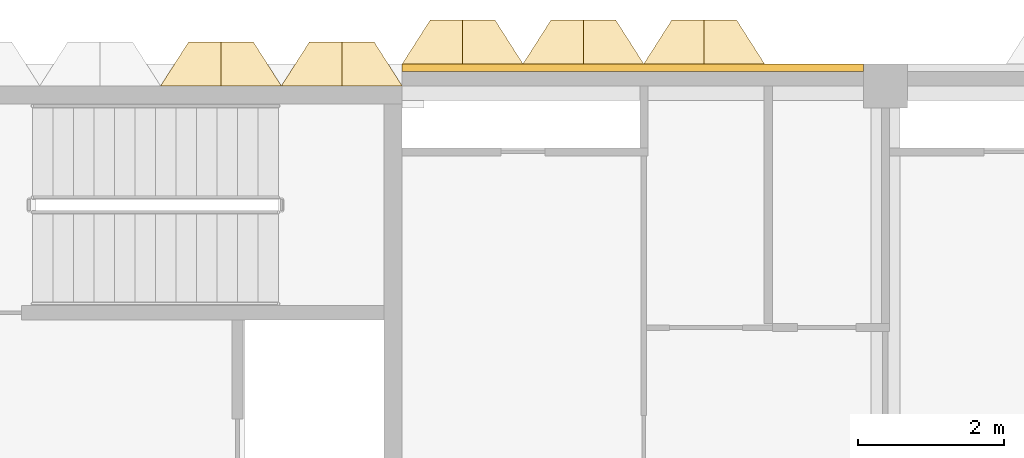
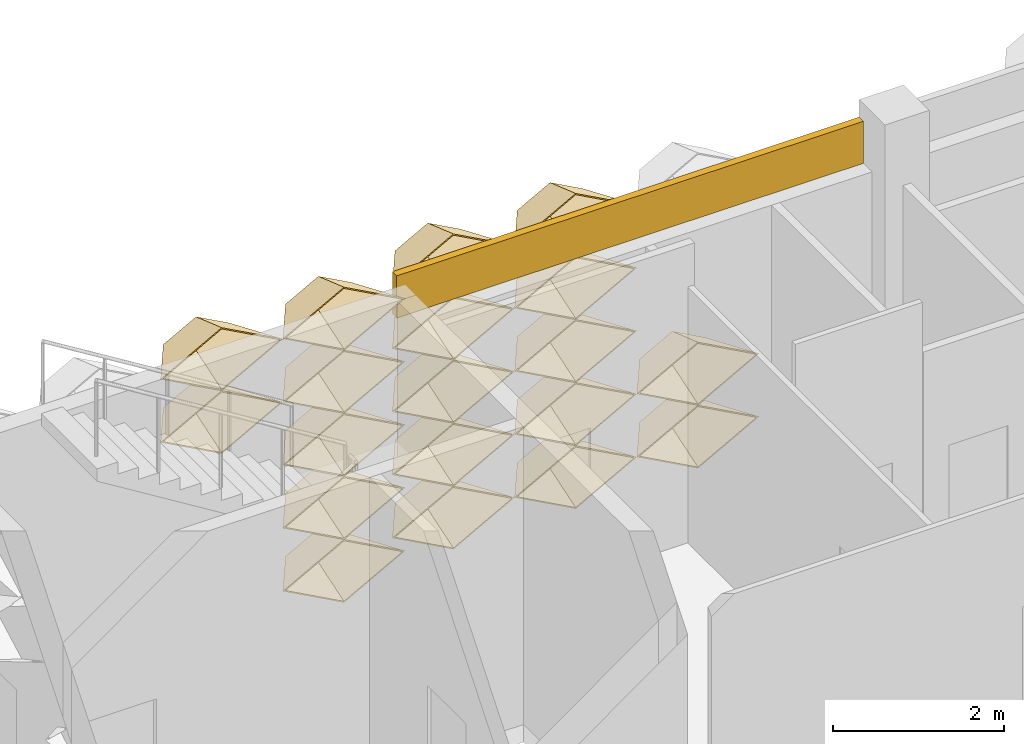
# One storey, part 91 of 109: 20 coverings.
"""IFC4 building model written with IfcOpenShell, lengths in metres."""

from ifc_helpers import new_model, entity, si_unit, direction, frame, frame_2d, origin, place, context, subcontext, project, spatial, rectangle, extrude, material, layer, layer_set, type_object, element, save


model = new_model("IFC4")

# Units and contexts
model_context = context("Model", 3, precision=1e-05, world=origin(), true_north=direction((0.0, 1.0)))
body_context = subcontext(model_context, "Body", "Model", "MODEL_VIEW")
ifc_project = project(units=[si_unit("LENGTHUNIT", "METRE"), si_unit("AREAUNIT", "SQUARE_METRE"), si_unit("VOLUMEUNIT", "CUBIC_METRE"), si_unit("PLANEANGLEUNIT", "RADIAN"), si_unit("MASSUNIT", "GRAM", prefix="KILO")], contexts=[model_context])

# Site, building, storey
site_placement = place(None, origin())
site = spatial("IfcSite", under=ifc_project, at=site_placement, CompositionType="ELEMENT")
building_placement = place(site_placement, origin())
building = spatial("IfcBuilding", under=site, at=building_placement, Name="Lantern Court Research Institute", CompositionType="ELEMENT")
storey_placement = place(building_placement, frame((0.0, 0.0, 14.39990234375)))
storey = spatial("IfcBuildingStorey", under=building, at=storey_placement, Name="L03", CompositionType="ELEMENT", Elevation=14.39990234375)

# Coverings
ifc_material_1 = material(Name="Aluminium composite panel with mineral wool insulation", Category="aluminium")
ifc_layer_1 = layer(ifc_material_1, 0.10009765625)
ifc_layer_set_1 = layer_set([ifc_layer_1], Name="Aluminium composite panel with mineral wool insulation")
covering_type_1 = type_object("IfcCoveringType", Name="Edge fascia panel 100 aluminium faced", PredefinedType="CLADDING", material=ifc_layer_set_1)
covering_1_placement = place(storey_placement, frame((6.60009765625, 99.25, 3.650146484375), z_axis=(0.0, 0.0, 1.0), x_axis=(1.0, 0.0, 0.0)))
element("IfcCovering", 1, at=covering_1_placement, inside=storey, type_object=covering_type_1, Name="Edge fascia V6N L03 01", PredefinedType="CLADDING", context=body_context, shape_type="SweptSolid", body=[
    extrude(rectangle(XDim=6.2998046875, YDim=0.10009765625, at=frame_2d((3.14990234375, 0.0))), origin(), (0.0, 0.0, 1.0), 0.599853515625),
])
ifc_material_2 = material(Name="Anodised aluminium", Category="aluminium")
ifc_layer_2 = layer(ifc_material_2, 0.01611328125)
ifc_layer_set_2 = layer_set([ifc_layer_2], Name="Anodised aluminium")
covering_type_2 = type_object("IfcCoveringType", Name="Fin cassette 1650 x 900 x 600 aluminium", PredefinedType="CLADDING", material=ifc_layer_set_2)
covering_2_placement = place(storey_placement, frame((5.77490234375, 99.0, 0.4501953125), z_axis=(0.0, 1.0, 0.0), x_axis=(-1.0, 0.0, 0.0)))
cartesian_point_1 = entity("IfcCartesianPoint", [0.824951171875, 0.0])
cartesian_point_2 = entity("IfcCartesianPoint", [0.79150390625, 0.0])
cartesian_point_3 = entity("IfcCartesianPoint", [0.44189453125, 0.0])
cartesian_point_4 = entity("IfcCartesianPoint", [0.43359375, 0.0])
element("IfcCovering", 2, at=covering_2_placement, inside=storey, type_object=covering_type_2, Name="Fin cassette V6N-L03 1.4", PredefinedType="CLADDING", context=body_context, shape_type="SweptSolid", body=[
    entity("IfcExtrudedAreaSolidTapered", entity("IfcArbitraryProfileDefWithVoids", "AREA", None, entity("IfcPolyline", [cartesian_point_1, entity("IfcCartesianPoint", [0.0, 0.449951171875]), entity("IfcCartesianPoint", [-0.824951171875, 0.0]), entity("IfcCartesianPoint", [0.0, -0.449951171875]), cartesian_point_1]), [entity("IfcPolyline", [cartesian_point_2, entity("IfcCartesianPoint", [0.0, 0.431884765625]), entity("IfcCartesianPoint", [-0.79150390625, 0.0]), entity("IfcCartesianPoint", [0.0, -0.431884765625]), cartesian_point_2])]), entity("IfcAxis2Placement3D", entity("IfcCartesianPoint", [0.0, 0.0, 0.0])), entity("IfcDirection", [0.0, 0.0, 1.0]), 0.60009765625, entity("IfcArbitraryProfileDefWithVoids", "AREA", None, entity("IfcPolyline", [cartesian_point_3, entity("IfcCartesianPoint", [0.0, 0.240966796875]), entity("IfcCartesianPoint", [-0.44189453125, 0.0]), entity("IfcCartesianPoint", [0.0, -0.240966796875]), cartesian_point_3]), [entity("IfcPolyline", [cartesian_point_4, entity("IfcCartesianPoint", [0.0, 0.236572265625]), entity("IfcCartesianPoint", [-0.43359375, 0.0]), entity("IfcCartesianPoint", [0.0, -0.236572265625]), cartesian_point_4])])),
])
covering_3_placement = place(storey_placement, frame((5.77490234375, 99.0, 1.35009765625), z_axis=(0.0, 1.0, 0.0), x_axis=(-1.0, 0.0, 0.0)))
cartesian_point_5 = entity("IfcCartesianPoint", [0.824951171875, 0.0])
cartesian_point_6 = entity("IfcCartesianPoint", [0.79150390625, 0.0])
cartesian_point_7 = entity("IfcCartesianPoint", [0.44189453125, 0.0])
cartesian_point_8 = entity("IfcCartesianPoint", [0.43359375, 0.0])
element("IfcCovering", 3, at=covering_3_placement, inside=storey, type_object=covering_type_2, Name="Fin cassette V6N-L03 2.4", PredefinedType="CLADDING", context=body_context, shape_type="SweptSolid", body=[
    entity("IfcExtrudedAreaSolidTapered", entity("IfcArbitraryProfileDefWithVoids", "AREA", None, entity("IfcPolyline", [cartesian_point_5, entity("IfcCartesianPoint", [0.0, 0.449951171875]), entity("IfcCartesianPoint", [-0.824951171875, 0.0]), entity("IfcCartesianPoint", [0.0, -0.449951171875]), cartesian_point_5]), [entity("IfcPolyline", [cartesian_point_6, entity("IfcCartesianPoint", [0.0, 0.431884765625]), entity("IfcCartesianPoint", [-0.79150390625, 0.0]), entity("IfcCartesianPoint", [0.0, -0.431884765625]), cartesian_point_6])]), entity("IfcAxis2Placement3D", entity("IfcCartesianPoint", [0.0, 0.0, 0.0])), entity("IfcDirection", [0.0, 0.0, 1.0]), 0.60009765625, entity("IfcArbitraryProfileDefWithVoids", "AREA", None, entity("IfcPolyline", [cartesian_point_7, entity("IfcCartesianPoint", [0.0, 0.240966796875]), entity("IfcCartesianPoint", [-0.44189453125, 0.0]), entity("IfcCartesianPoint", [0.0, -0.240966796875]), cartesian_point_7]), [entity("IfcPolyline", [cartesian_point_8, entity("IfcCartesianPoint", [0.0, 0.236572265625]), entity("IfcCartesianPoint", [-0.43359375, 0.0]), entity("IfcCartesianPoint", [0.0, -0.236572265625]), cartesian_point_8])])),
])
covering_4_placement = place(storey_placement, frame((5.77490234375, 99.0, 2.25), z_axis=(0.0, 1.0, 0.0), x_axis=(-1.0, 0.0, 0.0)))
cartesian_point_9 = entity("IfcCartesianPoint", [0.824951171875, 0.0])
cartesian_point_10 = entity("IfcCartesianPoint", [0.79150390625, 0.0])
cartesian_point_11 = entity("IfcCartesianPoint", [0.44189453125, 0.0])
cartesian_point_12 = entity("IfcCartesianPoint", [0.43359375, 0.0])
element("IfcCovering", 4, at=covering_4_placement, inside=storey, type_object=covering_type_2, Name="Fin cassette V6N-L03 3.4", PredefinedType="CLADDING", context=body_context, shape_type="SweptSolid", body=[
    entity("IfcExtrudedAreaSolidTapered", entity("IfcArbitraryProfileDefWithVoids", "AREA", None, entity("IfcPolyline", [cartesian_point_9, entity("IfcCartesianPoint", [0.0, 0.449951171875]), entity("IfcCartesianPoint", [-0.824951171875, 0.0]), entity("IfcCartesianPoint", [0.0, -0.449951171875]), cartesian_point_9]), [entity("IfcPolyline", [cartesian_point_10, entity("IfcCartesianPoint", [0.0, 0.431884765625]), entity("IfcCartesianPoint", [-0.79150390625, 0.0]), entity("IfcCartesianPoint", [0.0, -0.431884765625]), cartesian_point_10])]), entity("IfcAxis2Placement3D", entity("IfcCartesianPoint", [0.0, 0.0, 0.0])), entity("IfcDirection", [0.0, 0.0, 1.0]), 0.60009765625, entity("IfcArbitraryProfileDefWithVoids", "AREA", None, entity("IfcPolyline", [cartesian_point_11, entity("IfcCartesianPoint", [0.0, 0.240966796875]), entity("IfcCartesianPoint", [-0.44189453125, 0.0]), entity("IfcCartesianPoint", [0.0, -0.240966796875]), cartesian_point_11]), [entity("IfcPolyline", [cartesian_point_12, entity("IfcCartesianPoint", [0.0, 0.236572265625]), entity("IfcCartesianPoint", [-0.43359375, 0.0]), entity("IfcCartesianPoint", [0.0, -0.236572265625]), cartesian_point_12])])),
])
covering_5_placement = place(storey_placement, frame((4.125, 99.0, 3.150146484375), z_axis=(0.0, 1.0, 0.0), x_axis=(-1.0, 0.0, 0.0)))
cartesian_point_13 = entity("IfcCartesianPoint", [0.824951171875, 0.0])
cartesian_point_14 = entity("IfcCartesianPoint", [0.79150390625, 0.0])
cartesian_point_15 = entity("IfcCartesianPoint", [0.44189453125, 0.0])
cartesian_point_16 = entity("IfcCartesianPoint", [0.43359375, 0.0])
element("IfcCovering", 5, at=covering_5_placement, inside=storey, type_object=covering_type_2, Name="Fin cassette V6N-L03 4.3", PredefinedType="CLADDING", context=body_context, shape_type="SweptSolid", body=[
    entity("IfcExtrudedAreaSolidTapered", entity("IfcArbitraryProfileDefWithVoids", "AREA", None, entity("IfcPolyline", [cartesian_point_13, entity("IfcCartesianPoint", [0.0, 0.449951171875]), entity("IfcCartesianPoint", [-0.824951171875, 0.0]), entity("IfcCartesianPoint", [0.0, -0.449951171875]), cartesian_point_13]), [entity("IfcPolyline", [cartesian_point_14, entity("IfcCartesianPoint", [0.0, 0.431884765625]), entity("IfcCartesianPoint", [-0.79150390625, 0.0]), entity("IfcCartesianPoint", [0.0, -0.431884765625]), cartesian_point_14])]), entity("IfcAxis2Placement3D", entity("IfcCartesianPoint", [0.0, 0.0, 0.0])), entity("IfcDirection", [0.0, 0.0, 1.0]), 0.60009765625, entity("IfcArbitraryProfileDefWithVoids", "AREA", None, entity("IfcPolyline", [cartesian_point_15, entity("IfcCartesianPoint", [0.0, 0.240966796875]), entity("IfcCartesianPoint", [-0.44189453125, 0.0]), entity("IfcCartesianPoint", [0.0, -0.240966796875]), cartesian_point_15]), [entity("IfcPolyline", [cartesian_point_16, entity("IfcCartesianPoint", [0.0, 0.236572265625]), entity("IfcCartesianPoint", [-0.43359375, 0.0]), entity("IfcCartesianPoint", [0.0, -0.236572265625]), cartesian_point_16])])),
])
covering_6_placement = place(storey_placement, frame((5.77490234375, 99.0, 3.150146484375), z_axis=(0.0, 1.0, 0.0), x_axis=(-1.0, 0.0, 0.0)))
cartesian_point_17 = entity("IfcCartesianPoint", [0.824951171875, 0.0])
cartesian_point_18 = entity("IfcCartesianPoint", [0.79150390625, 0.0])
cartesian_point_19 = entity("IfcCartesianPoint", [0.44189453125, 0.0])
cartesian_point_20 = entity("IfcCartesianPoint", [0.43359375, 0.0])
element("IfcCovering", 6, at=covering_6_placement, inside=storey, type_object=covering_type_2, Name="Fin cassette V6N-L03 4.4", PredefinedType="CLADDING", context=body_context, shape_type="SweptSolid", body=[
    entity("IfcExtrudedAreaSolidTapered", entity("IfcArbitraryProfileDefWithVoids", "AREA", None, entity("IfcPolyline", [cartesian_point_17, entity("IfcCartesianPoint", [0.0, 0.449951171875]), entity("IfcCartesianPoint", [-0.824951171875, 0.0]), entity("IfcCartesianPoint", [0.0, -0.449951171875]), cartesian_point_17]), [entity("IfcPolyline", [cartesian_point_18, entity("IfcCartesianPoint", [0.0, 0.431884765625]), entity("IfcCartesianPoint", [-0.79150390625, 0.0]), entity("IfcCartesianPoint", [0.0, -0.431884765625]), cartesian_point_18])]), entity("IfcAxis2Placement3D", entity("IfcCartesianPoint", [0.0, 0.0, 0.0])), entity("IfcDirection", [0.0, 0.0, 1.0]), 0.60009765625, entity("IfcArbitraryProfileDefWithVoids", "AREA", None, entity("IfcPolyline", [cartesian_point_19, entity("IfcCartesianPoint", [0.0, 0.240966796875]), entity("IfcCartesianPoint", [-0.44189453125, 0.0]), entity("IfcCartesianPoint", [0.0, -0.240966796875]), cartesian_point_19]), [entity("IfcPolyline", [cartesian_point_20, entity("IfcCartesianPoint", [0.0, 0.236572265625]), entity("IfcCartesianPoint", [-0.43359375, 0.0]), entity("IfcCartesianPoint", [0.0, -0.236572265625]), cartesian_point_20])])),
])
covering_7_placement = place(storey_placement, frame((4.125, 99.0, 4.050048828125), z_axis=(0.0, 1.0, 0.0), x_axis=(-1.0, 0.0, 0.0)))
cartesian_point_21 = entity("IfcCartesianPoint", [0.824951171875, 0.0])
cartesian_point_22 = entity("IfcCartesianPoint", [0.79150390625, 0.0])
cartesian_point_23 = entity("IfcCartesianPoint", [0.44189453125, 0.0])
cartesian_point_24 = entity("IfcCartesianPoint", [0.43359375, 0.0])
element("IfcCovering", 7, at=covering_7_placement, inside=storey, type_object=covering_type_2, Name="Fin cassette V6N-L03 5.3", PredefinedType="CLADDING", context=body_context, shape_type="SweptSolid", body=[
    entity("IfcExtrudedAreaSolidTapered", entity("IfcArbitraryProfileDefWithVoids", "AREA", None, entity("IfcPolyline", [cartesian_point_21, entity("IfcCartesianPoint", [0.0, 0.449951171875]), entity("IfcCartesianPoint", [-0.824951171875, 0.0]), entity("IfcCartesianPoint", [0.0, -0.449951171875]), cartesian_point_21]), [entity("IfcPolyline", [cartesian_point_22, entity("IfcCartesianPoint", [0.0, 0.431884765625]), entity("IfcCartesianPoint", [-0.79150390625, 0.0]), entity("IfcCartesianPoint", [0.0, -0.431884765625]), cartesian_point_22])]), entity("IfcAxis2Placement3D", entity("IfcCartesianPoint", [0.0, 0.0, 0.0])), entity("IfcDirection", [0.0, 0.0, 1.0]), 0.60009765625, entity("IfcArbitraryProfileDefWithVoids", "AREA", None, entity("IfcPolyline", [cartesian_point_23, entity("IfcCartesianPoint", [0.0, 0.240966796875]), entity("IfcCartesianPoint", [-0.44189453125, 0.0]), entity("IfcCartesianPoint", [0.0, -0.240966796875]), cartesian_point_23]), [entity("IfcPolyline", [cartesian_point_24, entity("IfcCartesianPoint", [0.0, 0.236572265625]), entity("IfcCartesianPoint", [-0.43359375, 0.0]), entity("IfcCartesianPoint", [0.0, -0.236572265625]), cartesian_point_24])])),
])
covering_8_placement = place(storey_placement, frame((5.77490234375, 99.0, 4.050048828125), z_axis=(0.0, 1.0, 0.0), x_axis=(-1.0, 0.0, 0.0)))
cartesian_point_25 = entity("IfcCartesianPoint", [0.824951171875, 0.0])
cartesian_point_26 = entity("IfcCartesianPoint", [0.79150390625, 0.0])
cartesian_point_27 = entity("IfcCartesianPoint", [0.44189453125, 0.0])
cartesian_point_28 = entity("IfcCartesianPoint", [0.43359375, 0.0])
element("IfcCovering", 8, at=covering_8_placement, inside=storey, type_object=covering_type_2, Name="Fin cassette V6N-L03 5.4", PredefinedType="CLADDING", context=body_context, shape_type="SweptSolid", body=[
    entity("IfcExtrudedAreaSolidTapered", entity("IfcArbitraryProfileDefWithVoids", "AREA", None, entity("IfcPolyline", [cartesian_point_25, entity("IfcCartesianPoint", [0.0, 0.449951171875]), entity("IfcCartesianPoint", [-0.824951171875, 0.0]), entity("IfcCartesianPoint", [0.0, -0.449951171875]), cartesian_point_25]), [entity("IfcPolyline", [cartesian_point_26, entity("IfcCartesianPoint", [0.0, 0.431884765625]), entity("IfcCartesianPoint", [-0.79150390625, 0.0]), entity("IfcCartesianPoint", [0.0, -0.431884765625]), cartesian_point_26])]), entity("IfcAxis2Placement3D", entity("IfcCartesianPoint", [0.0, 0.0, 0.0])), entity("IfcDirection", [0.0, 0.0, 1.0]), 0.60009765625, entity("IfcArbitraryProfileDefWithVoids", "AREA", None, entity("IfcPolyline", [cartesian_point_27, entity("IfcCartesianPoint", [0.0, 0.240966796875]), entity("IfcCartesianPoint", [-0.44189453125, 0.0]), entity("IfcCartesianPoint", [0.0, -0.240966796875]), cartesian_point_27]), [entity("IfcPolyline", [cartesian_point_28, entity("IfcCartesianPoint", [0.0, 0.236572265625]), entity("IfcCartesianPoint", [-0.43359375, 0.0]), entity("IfcCartesianPoint", [0.0, -0.236572265625]), cartesian_point_28])])),
])
covering_9_placement = place(storey_placement, frame((7.425048828125, 99.300048828125, 0.4501953125), z_axis=(0.0, 1.0, 0.0), x_axis=(-1.0, 0.0, 0.0)))
cartesian_point_29 = entity("IfcCartesianPoint", [0.824951171875, 0.0])
cartesian_point_30 = entity("IfcCartesianPoint", [0.79150390625, 0.0])
cartesian_point_31 = entity("IfcCartesianPoint", [0.44189453125, 0.0])
cartesian_point_32 = entity("IfcCartesianPoint", [0.43359375, 0.0])
element("IfcCovering", 9, at=covering_9_placement, inside=storey, type_object=covering_type_2, Name="Fin cassette V6N-L03 1.5", PredefinedType="CLADDING", context=body_context, shape_type="SweptSolid", body=[
    entity("IfcExtrudedAreaSolidTapered", entity("IfcArbitraryProfileDefWithVoids", "AREA", None, entity("IfcPolyline", [cartesian_point_29, entity("IfcCartesianPoint", [0.0, 0.449951171875]), entity("IfcCartesianPoint", [-0.824951171875, 0.0]), entity("IfcCartesianPoint", [0.0, -0.449951171875]), cartesian_point_29]), [entity("IfcPolyline", [cartesian_point_30, entity("IfcCartesianPoint", [0.0, 0.431884765625]), entity("IfcCartesianPoint", [-0.79150390625, 0.0]), entity("IfcCartesianPoint", [0.0, -0.431884765625]), cartesian_point_30])]), entity("IfcAxis2Placement3D", entity("IfcCartesianPoint", [0.0, 0.0, 0.0])), entity("IfcDirection", [0.0, 0.0, 1.0]), 0.60009765625, entity("IfcArbitraryProfileDefWithVoids", "AREA", None, entity("IfcPolyline", [cartesian_point_31, entity("IfcCartesianPoint", [0.0, 0.240966796875]), entity("IfcCartesianPoint", [-0.44189453125, 0.0]), entity("IfcCartesianPoint", [0.0, -0.240966796875]), cartesian_point_31]), [entity("IfcPolyline", [cartesian_point_32, entity("IfcCartesianPoint", [0.0, 0.236572265625]), entity("IfcCartesianPoint", [-0.43359375, 0.0]), entity("IfcCartesianPoint", [0.0, -0.236572265625]), cartesian_point_32])])),
])
covering_10_placement = place(storey_placement, frame((9.074951171875, 99.300048828125, 0.4501953125), z_axis=(0.0, 1.0, 0.0), x_axis=(-1.0, 0.0, 0.0)))
cartesian_point_33 = entity("IfcCartesianPoint", [0.824951171875, 0.0])
cartesian_point_34 = entity("IfcCartesianPoint", [0.79150390625, 0.0])
cartesian_point_35 = entity("IfcCartesianPoint", [0.44189453125, 0.0])
cartesian_point_36 = entity("IfcCartesianPoint", [0.43359375, 0.0])
element("IfcCovering", 10, at=covering_10_placement, inside=storey, type_object=covering_type_2, Name="Fin cassette V6N-L03 1.6", PredefinedType="CLADDING", context=body_context, shape_type="SweptSolid", body=[
    entity("IfcExtrudedAreaSolidTapered", entity("IfcArbitraryProfileDefWithVoids", "AREA", None, entity("IfcPolyline", [cartesian_point_33, entity("IfcCartesianPoint", [0.0, 0.449951171875]), entity("IfcCartesianPoint", [-0.824951171875, 0.0]), entity("IfcCartesianPoint", [0.0, -0.449951171875]), cartesian_point_33]), [entity("IfcPolyline", [cartesian_point_34, entity("IfcCartesianPoint", [0.0, 0.431884765625]), entity("IfcCartesianPoint", [-0.79150390625, 0.0]), entity("IfcCartesianPoint", [0.0, -0.431884765625]), cartesian_point_34])]), entity("IfcAxis2Placement3D", entity("IfcCartesianPoint", [0.0, 0.0, 0.0])), entity("IfcDirection", [0.0, 0.0, 1.0]), 0.60009765625, entity("IfcArbitraryProfileDefWithVoids", "AREA", None, entity("IfcPolyline", [cartesian_point_35, entity("IfcCartesianPoint", [0.0, 0.240966796875]), entity("IfcCartesianPoint", [-0.44189453125, 0.0]), entity("IfcCartesianPoint", [0.0, -0.240966796875]), cartesian_point_35]), [entity("IfcPolyline", [cartesian_point_36, entity("IfcCartesianPoint", [0.0, 0.236572265625]), entity("IfcCartesianPoint", [-0.43359375, 0.0]), entity("IfcCartesianPoint", [0.0, -0.236572265625]), cartesian_point_36])])),
])
covering_11_placement = place(storey_placement, frame((10.72509765625, 99.300048828125, 0.4501953125), z_axis=(0.0, 1.0, 0.0), x_axis=(-1.0, 0.0, 0.0)))
cartesian_point_37 = entity("IfcCartesianPoint", [0.824951171875, 0.0])
cartesian_point_38 = entity("IfcCartesianPoint", [0.79150390625, 0.0])
cartesian_point_39 = entity("IfcCartesianPoint", [0.44189453125, 0.0])
cartesian_point_40 = entity("IfcCartesianPoint", [0.43359375, 0.0])
element("IfcCovering", 11, at=covering_11_placement, inside=storey, type_object=covering_type_2, Name="Fin cassette V6N-L03 1.7", PredefinedType="CLADDING", context=body_context, shape_type="SweptSolid", body=[
    entity("IfcExtrudedAreaSolidTapered", entity("IfcArbitraryProfileDefWithVoids", "AREA", None, entity("IfcPolyline", [cartesian_point_37, entity("IfcCartesianPoint", [0.0, 0.449951171875]), entity("IfcCartesianPoint", [-0.824951171875, 0.0]), entity("IfcCartesianPoint", [0.0, -0.449951171875]), cartesian_point_37]), [entity("IfcPolyline", [cartesian_point_38, entity("IfcCartesianPoint", [0.0, 0.431884765625]), entity("IfcCartesianPoint", [-0.79150390625, 0.0]), entity("IfcCartesianPoint", [0.0, -0.431884765625]), cartesian_point_38])]), entity("IfcAxis2Placement3D", entity("IfcCartesianPoint", [0.0, 0.0, 0.0])), entity("IfcDirection", [0.0, 0.0, 1.0]), 0.60009765625, entity("IfcArbitraryProfileDefWithVoids", "AREA", None, entity("IfcPolyline", [cartesian_point_39, entity("IfcCartesianPoint", [0.0, 0.240966796875]), entity("IfcCartesianPoint", [-0.44189453125, 0.0]), entity("IfcCartesianPoint", [0.0, -0.240966796875]), cartesian_point_39]), [entity("IfcPolyline", [cartesian_point_40, entity("IfcCartesianPoint", [0.0, 0.236572265625]), entity("IfcCartesianPoint", [-0.43359375, 0.0]), entity("IfcCartesianPoint", [0.0, -0.236572265625]), cartesian_point_40])])),
])
covering_12_placement = place(storey_placement, frame((7.425048828125, 99.300048828125, 1.35009765625), z_axis=(0.0, 1.0, 0.0), x_axis=(-1.0, 0.0, 0.0)))
cartesian_point_41 = entity("IfcCartesianPoint", [0.824951171875, 0.0])
cartesian_point_42 = entity("IfcCartesianPoint", [0.79150390625, 0.0])
cartesian_point_43 = entity("IfcCartesianPoint", [0.44189453125, 0.0])
cartesian_point_44 = entity("IfcCartesianPoint", [0.43359375, 0.0])
element("IfcCovering", 12, at=covering_12_placement, inside=storey, type_object=covering_type_2, Name="Fin cassette V6N-L03 2.5", PredefinedType="CLADDING", context=body_context, shape_type="SweptSolid", body=[
    entity("IfcExtrudedAreaSolidTapered", entity("IfcArbitraryProfileDefWithVoids", "AREA", None, entity("IfcPolyline", [cartesian_point_41, entity("IfcCartesianPoint", [0.0, 0.449951171875]), entity("IfcCartesianPoint", [-0.824951171875, 0.0]), entity("IfcCartesianPoint", [0.0, -0.449951171875]), cartesian_point_41]), [entity("IfcPolyline", [cartesian_point_42, entity("IfcCartesianPoint", [0.0, 0.431884765625]), entity("IfcCartesianPoint", [-0.79150390625, 0.0]), entity("IfcCartesianPoint", [0.0, -0.431884765625]), cartesian_point_42])]), entity("IfcAxis2Placement3D", entity("IfcCartesianPoint", [0.0, 0.0, 0.0])), entity("IfcDirection", [0.0, 0.0, 1.0]), 0.60009765625, entity("IfcArbitraryProfileDefWithVoids", "AREA", None, entity("IfcPolyline", [cartesian_point_43, entity("IfcCartesianPoint", [0.0, 0.240966796875]), entity("IfcCartesianPoint", [-0.44189453125, 0.0]), entity("IfcCartesianPoint", [0.0, -0.240966796875]), cartesian_point_43]), [entity("IfcPolyline", [cartesian_point_44, entity("IfcCartesianPoint", [0.0, 0.236572265625]), entity("IfcCartesianPoint", [-0.43359375, 0.0]), entity("IfcCartesianPoint", [0.0, -0.236572265625]), cartesian_point_44])])),
])
covering_13_placement = place(storey_placement, frame((9.074951171875, 99.300048828125, 1.35009765625), z_axis=(0.0, 1.0, 0.0), x_axis=(-1.0, 0.0, 0.0)))
cartesian_point_45 = entity("IfcCartesianPoint", [0.824951171875, 0.0])
cartesian_point_46 = entity("IfcCartesianPoint", [0.79150390625, 0.0])
cartesian_point_47 = entity("IfcCartesianPoint", [0.44189453125, 0.0])
cartesian_point_48 = entity("IfcCartesianPoint", [0.43359375, 0.0])
element("IfcCovering", 13, at=covering_13_placement, inside=storey, type_object=covering_type_2, Name="Fin cassette V6N-L03 2.6", PredefinedType="CLADDING", context=body_context, shape_type="SweptSolid", body=[
    entity("IfcExtrudedAreaSolidTapered", entity("IfcArbitraryProfileDefWithVoids", "AREA", None, entity("IfcPolyline", [cartesian_point_45, entity("IfcCartesianPoint", [0.0, 0.449951171875]), entity("IfcCartesianPoint", [-0.824951171875, 0.0]), entity("IfcCartesianPoint", [0.0, -0.449951171875]), cartesian_point_45]), [entity("IfcPolyline", [cartesian_point_46, entity("IfcCartesianPoint", [0.0, 0.431884765625]), entity("IfcCartesianPoint", [-0.79150390625, 0.0]), entity("IfcCartesianPoint", [0.0, -0.431884765625]), cartesian_point_46])]), entity("IfcAxis2Placement3D", entity("IfcCartesianPoint", [0.0, 0.0, 0.0])), entity("IfcDirection", [0.0, 0.0, 1.0]), 0.60009765625, entity("IfcArbitraryProfileDefWithVoids", "AREA", None, entity("IfcPolyline", [cartesian_point_47, entity("IfcCartesianPoint", [0.0, 0.240966796875]), entity("IfcCartesianPoint", [-0.44189453125, 0.0]), entity("IfcCartesianPoint", [0.0, -0.240966796875]), cartesian_point_47]), [entity("IfcPolyline", [cartesian_point_48, entity("IfcCartesianPoint", [0.0, 0.236572265625]), entity("IfcCartesianPoint", [-0.43359375, 0.0]), entity("IfcCartesianPoint", [0.0, -0.236572265625]), cartesian_point_48])])),
])
covering_14_placement = place(storey_placement, frame((10.72509765625, 99.300048828125, 1.35009765625), z_axis=(0.0, 1.0, 0.0), x_axis=(-1.0, 0.0, 0.0)))
cartesian_point_49 = entity("IfcCartesianPoint", [0.824951171875, 0.0])
cartesian_point_50 = entity("IfcCartesianPoint", [0.79150390625, 0.0])
cartesian_point_51 = entity("IfcCartesianPoint", [0.44189453125, 0.0])
cartesian_point_52 = entity("IfcCartesianPoint", [0.43359375, 0.0])
element("IfcCovering", 14, at=covering_14_placement, inside=storey, type_object=covering_type_2, Name="Fin cassette V6N-L03 2.7", PredefinedType="CLADDING", context=body_context, shape_type="SweptSolid", body=[
    entity("IfcExtrudedAreaSolidTapered", entity("IfcArbitraryProfileDefWithVoids", "AREA", None, entity("IfcPolyline", [cartesian_point_49, entity("IfcCartesianPoint", [0.0, 0.449951171875]), entity("IfcCartesianPoint", [-0.824951171875, 0.0]), entity("IfcCartesianPoint", [0.0, -0.449951171875]), cartesian_point_49]), [entity("IfcPolyline", [cartesian_point_50, entity("IfcCartesianPoint", [0.0, 0.431884765625]), entity("IfcCartesianPoint", [-0.79150390625, 0.0]), entity("IfcCartesianPoint", [0.0, -0.431884765625]), cartesian_point_50])]), entity("IfcAxis2Placement3D", entity("IfcCartesianPoint", [0.0, 0.0, 0.0])), entity("IfcDirection", [0.0, 0.0, 1.0]), 0.60009765625, entity("IfcArbitraryProfileDefWithVoids", "AREA", None, entity("IfcPolyline", [cartesian_point_51, entity("IfcCartesianPoint", [0.0, 0.240966796875]), entity("IfcCartesianPoint", [-0.44189453125, 0.0]), entity("IfcCartesianPoint", [0.0, -0.240966796875]), cartesian_point_51]), [entity("IfcPolyline", [cartesian_point_52, entity("IfcCartesianPoint", [0.0, 0.236572265625]), entity("IfcCartesianPoint", [-0.43359375, 0.0]), entity("IfcCartesianPoint", [0.0, -0.236572265625]), cartesian_point_52])])),
])
covering_15_placement = place(storey_placement, frame((7.425048828125, 99.300048828125, 2.25), z_axis=(0.0, 1.0, 0.0), x_axis=(-1.0, 0.0, 0.0)))
cartesian_point_53 = entity("IfcCartesianPoint", [0.824951171875, 0.0])
cartesian_point_54 = entity("IfcCartesianPoint", [0.79150390625, 0.0])
cartesian_point_55 = entity("IfcCartesianPoint", [0.44189453125, 0.0])
cartesian_point_56 = entity("IfcCartesianPoint", [0.43359375, 0.0])
element("IfcCovering", 15, at=covering_15_placement, inside=storey, type_object=covering_type_2, Name="Fin cassette V6N-L03 3.5", PredefinedType="CLADDING", context=body_context, shape_type="SweptSolid", body=[
    entity("IfcExtrudedAreaSolidTapered", entity("IfcArbitraryProfileDefWithVoids", "AREA", None, entity("IfcPolyline", [cartesian_point_53, entity("IfcCartesianPoint", [0.0, 0.449951171875]), entity("IfcCartesianPoint", [-0.824951171875, 0.0]), entity("IfcCartesianPoint", [0.0, -0.449951171875]), cartesian_point_53]), [entity("IfcPolyline", [cartesian_point_54, entity("IfcCartesianPoint", [0.0, 0.431884765625]), entity("IfcCartesianPoint", [-0.79150390625, 0.0]), entity("IfcCartesianPoint", [0.0, -0.431884765625]), cartesian_point_54])]), entity("IfcAxis2Placement3D", entity("IfcCartesianPoint", [0.0, 0.0, 0.0])), entity("IfcDirection", [0.0, 0.0, 1.0]), 0.60009765625, entity("IfcArbitraryProfileDefWithVoids", "AREA", None, entity("IfcPolyline", [cartesian_point_55, entity("IfcCartesianPoint", [0.0, 0.240966796875]), entity("IfcCartesianPoint", [-0.44189453125, 0.0]), entity("IfcCartesianPoint", [0.0, -0.240966796875]), cartesian_point_55]), [entity("IfcPolyline", [cartesian_point_56, entity("IfcCartesianPoint", [0.0, 0.236572265625]), entity("IfcCartesianPoint", [-0.43359375, 0.0]), entity("IfcCartesianPoint", [0.0, -0.236572265625]), cartesian_point_56])])),
])
covering_16_placement = place(storey_placement, frame((9.074951171875, 99.300048828125, 2.25), z_axis=(0.0, 1.0, 0.0), x_axis=(-1.0, 0.0, 0.0)))
cartesian_point_57 = entity("IfcCartesianPoint", [0.824951171875, 0.0])
cartesian_point_58 = entity("IfcCartesianPoint", [0.79150390625, 0.0])
cartesian_point_59 = entity("IfcCartesianPoint", [0.44189453125, 0.0])
cartesian_point_60 = entity("IfcCartesianPoint", [0.43359375, 0.0])
element("IfcCovering", 16, at=covering_16_placement, inside=storey, type_object=covering_type_2, Name="Fin cassette V6N-L03 3.6", PredefinedType="CLADDING", context=body_context, shape_type="SweptSolid", body=[
    entity("IfcExtrudedAreaSolidTapered", entity("IfcArbitraryProfileDefWithVoids", "AREA", None, entity("IfcPolyline", [cartesian_point_57, entity("IfcCartesianPoint", [0.0, 0.449951171875]), entity("IfcCartesianPoint", [-0.824951171875, 0.0]), entity("IfcCartesianPoint", [0.0, -0.449951171875]), cartesian_point_57]), [entity("IfcPolyline", [cartesian_point_58, entity("IfcCartesianPoint", [0.0, 0.431884765625]), entity("IfcCartesianPoint", [-0.79150390625, 0.0]), entity("IfcCartesianPoint", [0.0, -0.431884765625]), cartesian_point_58])]), entity("IfcAxis2Placement3D", entity("IfcCartesianPoint", [0.0, 0.0, 0.0])), entity("IfcDirection", [0.0, 0.0, 1.0]), 0.60009765625, entity("IfcArbitraryProfileDefWithVoids", "AREA", None, entity("IfcPolyline", [cartesian_point_59, entity("IfcCartesianPoint", [0.0, 0.240966796875]), entity("IfcCartesianPoint", [-0.44189453125, 0.0]), entity("IfcCartesianPoint", [0.0, -0.240966796875]), cartesian_point_59]), [entity("IfcPolyline", [cartesian_point_60, entity("IfcCartesianPoint", [0.0, 0.236572265625]), entity("IfcCartesianPoint", [-0.43359375, 0.0]), entity("IfcCartesianPoint", [0.0, -0.236572265625]), cartesian_point_60])])),
])
covering_17_placement = place(storey_placement, frame((7.425048828125, 99.300048828125, 3.150146484375), z_axis=(0.0, 1.0, 0.0), x_axis=(-1.0, 0.0, 0.0)))
cartesian_point_61 = entity("IfcCartesianPoint", [0.824951171875, 0.0])
cartesian_point_62 = entity("IfcCartesianPoint", [0.79150390625, 0.0])
cartesian_point_63 = entity("IfcCartesianPoint", [0.44189453125, 0.0])
cartesian_point_64 = entity("IfcCartesianPoint", [0.43359375, 0.0])
element("IfcCovering", 17, at=covering_17_placement, inside=storey, type_object=covering_type_2, Name="Fin cassette V6N-L03 4.5", PredefinedType="CLADDING", context=body_context, shape_type="SweptSolid", body=[
    entity("IfcExtrudedAreaSolidTapered", entity("IfcArbitraryProfileDefWithVoids", "AREA", None, entity("IfcPolyline", [cartesian_point_61, entity("IfcCartesianPoint", [0.0, 0.449951171875]), entity("IfcCartesianPoint", [-0.824951171875, 0.0]), entity("IfcCartesianPoint", [0.0, -0.449951171875]), cartesian_point_61]), [entity("IfcPolyline", [cartesian_point_62, entity("IfcCartesianPoint", [0.0, 0.431884765625]), entity("IfcCartesianPoint", [-0.79150390625, 0.0]), entity("IfcCartesianPoint", [0.0, -0.431884765625]), cartesian_point_62])]), entity("IfcAxis2Placement3D", entity("IfcCartesianPoint", [0.0, 0.0, 0.0])), entity("IfcDirection", [0.0, 0.0, 1.0]), 0.60009765625, entity("IfcArbitraryProfileDefWithVoids", "AREA", None, entity("IfcPolyline", [cartesian_point_63, entity("IfcCartesianPoint", [0.0, 0.240966796875]), entity("IfcCartesianPoint", [-0.44189453125, 0.0]), entity("IfcCartesianPoint", [0.0, -0.240966796875]), cartesian_point_63]), [entity("IfcPolyline", [cartesian_point_64, entity("IfcCartesianPoint", [0.0, 0.236572265625]), entity("IfcCartesianPoint", [-0.43359375, 0.0]), entity("IfcCartesianPoint", [0.0, -0.236572265625]), cartesian_point_64])])),
])
covering_18_placement = place(storey_placement, frame((9.074951171875, 99.300048828125, 3.150146484375), z_axis=(0.0, 1.0, 0.0), x_axis=(-1.0, 0.0, 0.0)))
cartesian_point_65 = entity("IfcCartesianPoint", [0.824951171875, 0.0])
cartesian_point_66 = entity("IfcCartesianPoint", [0.79150390625, 0.0])
cartesian_point_67 = entity("IfcCartesianPoint", [0.44189453125, 0.0])
cartesian_point_68 = entity("IfcCartesianPoint", [0.43359375, 0.0])
element("IfcCovering", 18, at=covering_18_placement, inside=storey, type_object=covering_type_2, Name="Fin cassette V6N-L03 4.6", PredefinedType="CLADDING", context=body_context, shape_type="SweptSolid", body=[
    entity("IfcExtrudedAreaSolidTapered", entity("IfcArbitraryProfileDefWithVoids", "AREA", None, entity("IfcPolyline", [cartesian_point_65, entity("IfcCartesianPoint", [0.0, 0.449951171875]), entity("IfcCartesianPoint", [-0.824951171875, 0.0]), entity("IfcCartesianPoint", [0.0, -0.449951171875]), cartesian_point_65]), [entity("IfcPolyline", [cartesian_point_66, entity("IfcCartesianPoint", [0.0, 0.431884765625]), entity("IfcCartesianPoint", [-0.79150390625, 0.0]), entity("IfcCartesianPoint", [0.0, -0.431884765625]), cartesian_point_66])]), entity("IfcAxis2Placement3D", entity("IfcCartesianPoint", [0.0, 0.0, 0.0])), entity("IfcDirection", [0.0, 0.0, 1.0]), 0.60009765625, entity("IfcArbitraryProfileDefWithVoids", "AREA", None, entity("IfcPolyline", [cartesian_point_67, entity("IfcCartesianPoint", [0.0, 0.240966796875]), entity("IfcCartesianPoint", [-0.44189453125, 0.0]), entity("IfcCartesianPoint", [0.0, -0.240966796875]), cartesian_point_67]), [entity("IfcPolyline", [cartesian_point_68, entity("IfcCartesianPoint", [0.0, 0.236572265625]), entity("IfcCartesianPoint", [-0.43359375, 0.0]), entity("IfcCartesianPoint", [0.0, -0.236572265625]), cartesian_point_68])])),
])
covering_19_placement = place(storey_placement, frame((7.425048828125, 99.300048828125, 4.050048828125), z_axis=(0.0, 1.0, 0.0), x_axis=(-1.0, 0.0, 0.0)))
cartesian_point_69 = entity("IfcCartesianPoint", [0.824951171875, 0.0])
cartesian_point_70 = entity("IfcCartesianPoint", [0.79150390625, 0.0])
cartesian_point_71 = entity("IfcCartesianPoint", [0.44189453125, 0.0])
cartesian_point_72 = entity("IfcCartesianPoint", [0.43359375, 0.0])
element("IfcCovering", 19, at=covering_19_placement, inside=storey, type_object=covering_type_2, Name="Fin cassette V6N-L03 5.5", PredefinedType="CLADDING", context=body_context, shape_type="SweptSolid", body=[
    entity("IfcExtrudedAreaSolidTapered", entity("IfcArbitraryProfileDefWithVoids", "AREA", None, entity("IfcPolyline", [cartesian_point_69, entity("IfcCartesianPoint", [0.0, 0.449951171875]), entity("IfcCartesianPoint", [-0.824951171875, 0.0]), entity("IfcCartesianPoint", [0.0, -0.449951171875]), cartesian_point_69]), [entity("IfcPolyline", [cartesian_point_70, entity("IfcCartesianPoint", [0.0, 0.431884765625]), entity("IfcCartesianPoint", [-0.79150390625, 0.0]), entity("IfcCartesianPoint", [0.0, -0.431884765625]), cartesian_point_70])]), entity("IfcAxis2Placement3D", entity("IfcCartesianPoint", [0.0, 0.0, 0.0])), entity("IfcDirection", [0.0, 0.0, 1.0]), 0.60009765625, entity("IfcArbitraryProfileDefWithVoids", "AREA", None, entity("IfcPolyline", [cartesian_point_71, entity("IfcCartesianPoint", [0.0, 0.240966796875]), entity("IfcCartesianPoint", [-0.44189453125, 0.0]), entity("IfcCartesianPoint", [0.0, -0.240966796875]), cartesian_point_71]), [entity("IfcPolyline", [cartesian_point_72, entity("IfcCartesianPoint", [0.0, 0.236572265625]), entity("IfcCartesianPoint", [-0.43359375, 0.0]), entity("IfcCartesianPoint", [0.0, -0.236572265625]), cartesian_point_72])])),
])
covering_20_placement = place(storey_placement, frame((9.074951171875, 99.300048828125, 4.050048828125), z_axis=(0.0, 1.0, 0.0), x_axis=(-1.0, 0.0, 0.0)))
cartesian_point_73 = entity("IfcCartesianPoint", [0.824951171875, 0.0])
cartesian_point_74 = entity("IfcCartesianPoint", [0.79150390625, 0.0])
cartesian_point_75 = entity("IfcCartesianPoint", [0.44189453125, 0.0])
cartesian_point_76 = entity("IfcCartesianPoint", [0.43359375, 0.0])
element("IfcCovering", 20, at=covering_20_placement, inside=storey, type_object=covering_type_2, Name="Fin cassette V6N-L03 5.6", PredefinedType="CLADDING", context=body_context, shape_type="SweptSolid", body=[
    entity("IfcExtrudedAreaSolidTapered", entity("IfcArbitraryProfileDefWithVoids", "AREA", None, entity("IfcPolyline", [cartesian_point_73, entity("IfcCartesianPoint", [0.0, 0.449951171875]), entity("IfcCartesianPoint", [-0.824951171875, 0.0]), entity("IfcCartesianPoint", [0.0, -0.449951171875]), cartesian_point_73]), [entity("IfcPolyline", [cartesian_point_74, entity("IfcCartesianPoint", [0.0, 0.431884765625]), entity("IfcCartesianPoint", [-0.79150390625, 0.0]), entity("IfcCartesianPoint", [0.0, -0.431884765625]), cartesian_point_74])]), entity("IfcAxis2Placement3D", entity("IfcCartesianPoint", [0.0, 0.0, 0.0])), entity("IfcDirection", [0.0, 0.0, 1.0]), 0.60009765625, entity("IfcArbitraryProfileDefWithVoids", "AREA", None, entity("IfcPolyline", [cartesian_point_75, entity("IfcCartesianPoint", [0.0, 0.240966796875]), entity("IfcCartesianPoint", [-0.44189453125, 0.0]), entity("IfcCartesianPoint", [0.0, -0.240966796875]), cartesian_point_75]), [entity("IfcPolyline", [cartesian_point_76, entity("IfcCartesianPoint", [0.0, 0.236572265625]), entity("IfcCartesianPoint", [-0.43359375, 0.0]), entity("IfcCartesianPoint", [0.0, -0.236572265625]), cartesian_point_76])])),
])

save(model, "model.ifc")
